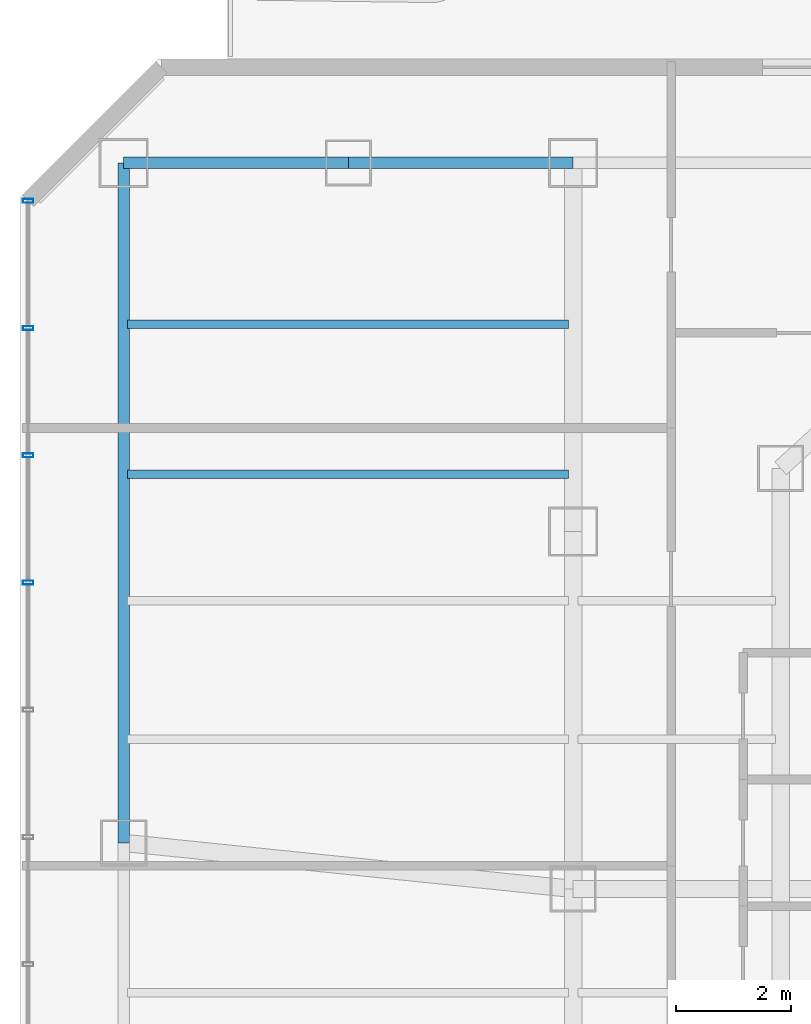
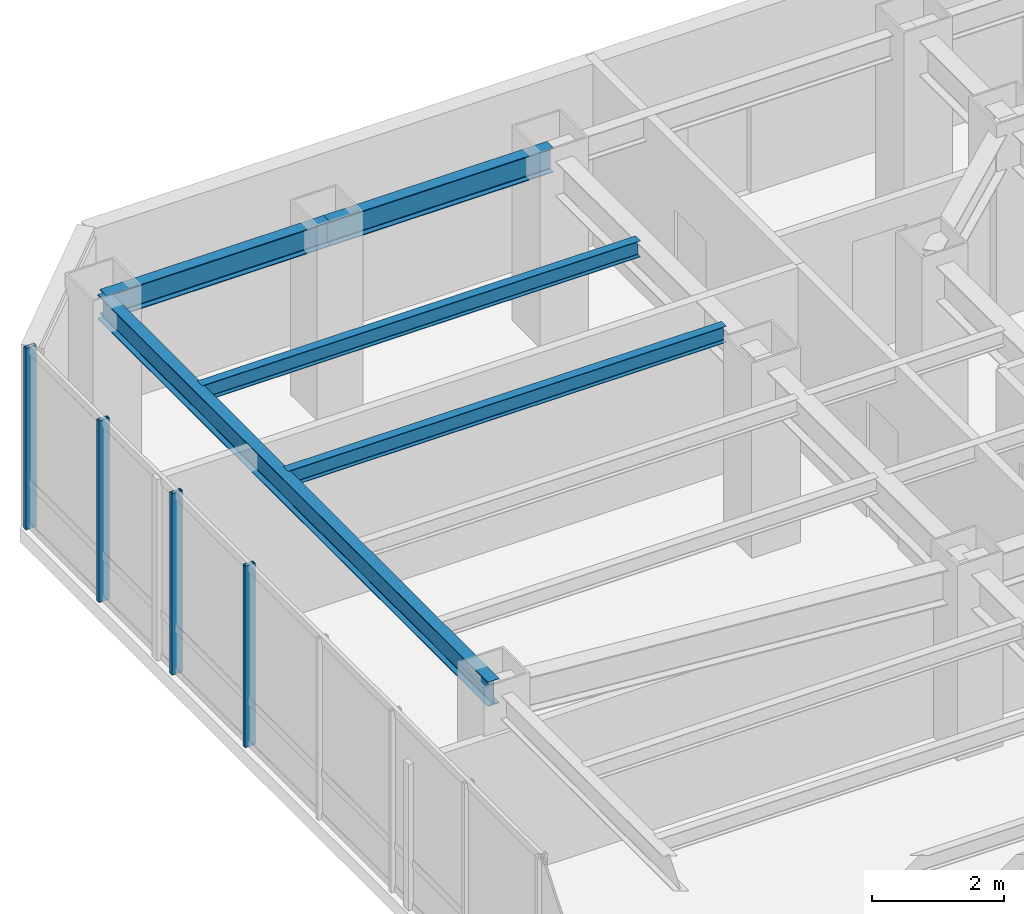
# One storey, part 17 of 27: 5 beams, 4 members, 1 element without a shape of its own.
"""IFC4 building model written with IfcOpenShell, lengths in metres."""

from ifc_helpers import new_model, si_unit, direction, frame, origin, origin_2d, place, context, subcontext, project, spatial, hollow_rectangle, i_section, extrude, material, layer, layer_set, material_profile, profile_set, type_object, element, aggregate, save


model = new_model("IFC4")

# Units and contexts
model_context = context("Model", 3, precision=1e-05, world=origin(), true_north=direction((0.0, 1.0)))
body_context = subcontext(model_context, "Body", "Model", "MODEL_VIEW")
ifc_project = project(units=[si_unit("LENGTHUNIT", "METRE"), si_unit("AREAUNIT", "SQUARE_METRE"), si_unit("VOLUMEUNIT", "CUBIC_METRE"), si_unit("PLANEANGLEUNIT", "RADIAN"), si_unit("MASSUNIT", "GRAM", prefix="KILO")], contexts=[model_context])

# Site, building, storey
site_placement = place(None, origin())
site = spatial("IfcSite", under=ifc_project, at=site_placement, CompositionType="ELEMENT")
building_placement = place(site_placement, origin())
building = spatial("IfcBuilding", under=site, at=building_placement, Name="Hatsunagi Terrace Concourse", CompositionType="ELEMENT")
storey_placement = place(building_placement, frame((0.0, 0.0, 142.050048828125)))
storey = spatial("IfcBuildingStorey", under=building, at=storey_placement, Name="L37", CompositionType="ELEMENT", Elevation=142.050048828125)

# Curtain wall, members
ifc_material_1 = material(Name="Anodised Aluminium Alloy 6063-T5", Category="aluminium")
ifc_layer = layer(ifc_material_1, 0.199951171875)
ifc_layer_set = layer_set([ifc_layer], Name="OfficeZone1_CW03")
curtain_wall_type = type_object("IfcCurtainWallType", Name="OfficeZone1_CW03", PredefinedType="NOTDEFINED", material=ifc_layer_set)
curtain_wall_placement = place(storey_placement, origin())
curtain_wall = element("IfcCurtainWall", 1, at=curtain_wall_placement, inside=storey, type_object=curtain_wall_type, Name="Unitised Curtain Wall CW-03 CW-L37-09", PredefinedType="NOTDEFINED")
ifc_material_2 = material(Name="Anodised Aluminium Alloy 6063-T5", Category="aluminium")
ifc_material_profile_1 = material_profile(ifc_material_2, hollow_rectangle(XDim=0.070068359375, YDim=0.179931640625, WallThickness=0.00390625, at=origin_2d()), Name="ALU-MUL-180x70x4")
ifc_profile_set_1 = profile_set([ifc_material_profile_1], Name="Anodised Aluminium Alloy 6063-T5")
member_type = type_object("IfcMemberType", Name="CurtainWallMullion_180x70", PredefinedType="MULLION", material=ifc_profile_set_1)
member_1_placement = place(storey_placement, frame((9.739990234375, 41.31689453125, 0.0), z_axis=(0.0, 0.0, 1.0), x_axis=(0.0, 1.0, 0.0)))
member_1 = element("IfcMember", 2, at=member_1_placement, type_object=member_type, Name="Curtain Wall Mullion MUL-02", PredefinedType="MULLION", context=body_context, shape_type="SweptSolid", body=[
    extrude(hollow_rectangle(XDim=0.070068359375, YDim=0.179931640625, WallThickness=0.00390625, at=origin_2d()), origin(), (0.0, 0.0, 1.0), 3.349853515625),
])
member_2_placement = place(storey_placement, frame((9.739990234375, 43.52490234375, 0.0), z_axis=(0.0, 0.0, 1.0), x_axis=(0.0, 1.0, 0.0)))
member_2 = element("IfcMember", 3, at=member_2_placement, type_object=member_type, Name="Curtain Wall Mullion MUL-02", PredefinedType="MULLION", context=body_context, shape_type="SweptSolid", body=[
    extrude(hollow_rectangle(XDim=0.070068359375, YDim=0.179931640625, WallThickness=0.00390625, at=origin_2d()), origin(), (0.0, 0.0, 1.0), 3.349853515625),
])
member_3_placement = place(storey_placement, frame((9.739990234375, 45.73388671875, 0.0), z_axis=(0.0, 0.0, 1.0), x_axis=(0.0, 1.0, 0.0)))
member_3 = element("IfcMember", 4, at=member_3_placement, type_object=member_type, Name="Curtain Wall Mullion MUL-02", PredefinedType="MULLION", context=body_context, shape_type="SweptSolid", body=[
    extrude(hollow_rectangle(XDim=0.070068359375, YDim=0.179931640625, WallThickness=0.00390625, at=origin_2d()), origin(), (0.0, 0.0, 1.0), 3.349853515625),
])
member_4_placement = place(storey_placement, frame((9.739990234375, 47.94189453125, 0.0), z_axis=(0.0, 0.0, 1.0), x_axis=(0.0, 1.0, 0.0)))
member_4 = element("IfcMember", 5, at=member_4_placement, type_object=member_type, Name="Curtain Wall Mullion MUL-02", PredefinedType="MULLION", context=body_context, shape_type="SweptSolid", body=[
    extrude(hollow_rectangle(XDim=0.070068359375, YDim=0.179931640625, WallThickness=0.00390625, at=origin_2d()), origin(), (0.0, 0.0, 1.0), 3.349853515625),
])
aggregate(curtain_wall, [member_1, member_2, member_3, member_4])

# Beams
ifc_material_3 = material(Name="Steel SN490B", Category="steel")
ifc_material_profile_2 = material_profile(ifc_material_3, i_section(OverallWidth=0.14990234375, OverallDepth=0.300048828125, WebThickness=0.006591796875, FlangeThickness=0.009033203125, FilletRadius=0.010986328125, at=origin_2d()), Name="H-300x150x6.5x9")
ifc_profile_set_2 = profile_set([ifc_material_profile_2], Name="Steel SN490B")
beam_type_1 = type_object("IfcBeamType", Name="OfficeJoist_H_300x150", PredefinedType="JOIST", material=ifc_profile_set_2)
for number, where, z_axis, x_axis, name in (
    (6, (11.465087890625, 43.199951171875, 3.199951171875), (1.0, 0.0, 0.0), (0.0, 1.0, 0.0), "Beam J-03 J-L37-W-11-432"),
    (7, (11.465087890625, 45.800048828125, 3.199951171875), (1.0, 0.0, 0.0), (0.0, 1.0, 0.0), "Beam J-03 J-L37-W-11-458"),
):
    element("IfcBeam", number, at=place(storey_placement, frame(where, z_axis=z_axis, x_axis=x_axis)), inside=storey, type_object=beam_type_1, Name=name, PredefinedType="JOIST", context=body_context, shape_type="SweptSolid", body=[
        extrude(i_section(OverallWidth=0.14990234375, OverallDepth=0.300048828125, WebThickness=0.006591796875, FlangeThickness=0.009033203125, FilletRadius=0.010986328125, at=origin_2d()), origin(), (0.0, 0.0, 1.0), 7.64990234375),
    ])
ifc_material_4 = material(Name="Steel SN490B", Category="steel")
ifc_material_profile_3 = material_profile(ifc_material_4, i_section(OverallWidth=0.199951171875, OverallDepth=0.449951171875, WebThickness=0.009033203125, FlangeThickness=0.013916015625, FilletRadius=0.01611328125, at=origin_2d()), Name="H-450x200x9x14")
ifc_profile_set_3 = profile_set([ifc_material_profile_3], Name="Steel SN490B")
beam_type_2 = type_object("IfcBeamType", Name="PerimeterSpandrel_H_450x200", PredefinedType="SPANDREL", material=ifc_profile_set_3)
beam_1_placement = place(storey_placement, frame((11.39990234375, 48.60009765625, 3.125), z_axis=(1.0, 0.0, 0.0), x_axis=(0.0, 1.0, 0.0)))
element("IfcBeam", 8, at=beam_1_placement, inside=storey, type_object=beam_type_2, Name="Beam SP-02 BM-L37-WN-11", PredefinedType="SPANDREL", context=body_context, shape_type="SweptSolid", body=[
    extrude(i_section(OverallWidth=0.199951171875, OverallDepth=0.449951171875, WebThickness=0.009033203125, FlangeThickness=0.013916015625, FilletRadius=0.01611328125, at=origin_2d()), origin(), (0.0, 0.0, 1.0), 3.900146484375),
])
beam_2_placement = place(storey_placement, frame((15.300048828125, 48.60009765625, 3.125), z_axis=(1.0, 0.0, 0.0), x_axis=(0.0, 1.0, 0.0)))
element("IfcBeam", 9, at=beam_2_placement, inside=storey, type_object=beam_type_2, Name="Beam SP-02 BM-L37-WN-15", PredefinedType="SPANDREL", context=body_context, shape_type="SweptSolid", body=[
    extrude(i_section(OverallWidth=0.199951171875, OverallDepth=0.449951171875, WebThickness=0.009033203125, FlangeThickness=0.013916015625, FilletRadius=0.01611328125, at=origin_2d()), origin(), (0.0, 0.0, 1.0), 3.89990234375),
])
beam_3_placement = place(storey_placement, frame((11.39990234375, 36.800048828125, 3.125), z_axis=(0.0, 1.0, 0.0), x_axis=(-1.0, 0.0, 0.0)))
element("IfcBeam", 10, at=beam_3_placement, inside=storey, type_object=beam_type_2, Name="Beam SP-02 BM-L37-NS-11-36", PredefinedType="SPANDREL", context=body_context, shape_type="SweptSolid", body=[
    extrude(i_section(OverallWidth=0.199951171875, OverallDepth=0.449951171875, WebThickness=0.009033203125, FlangeThickness=0.013916015625, FilletRadius=0.01611328125, at=origin_2d()), origin(), (0.0, 0.0, 1.0), 11.800048828125),
])

save(model, "model.ifc")
